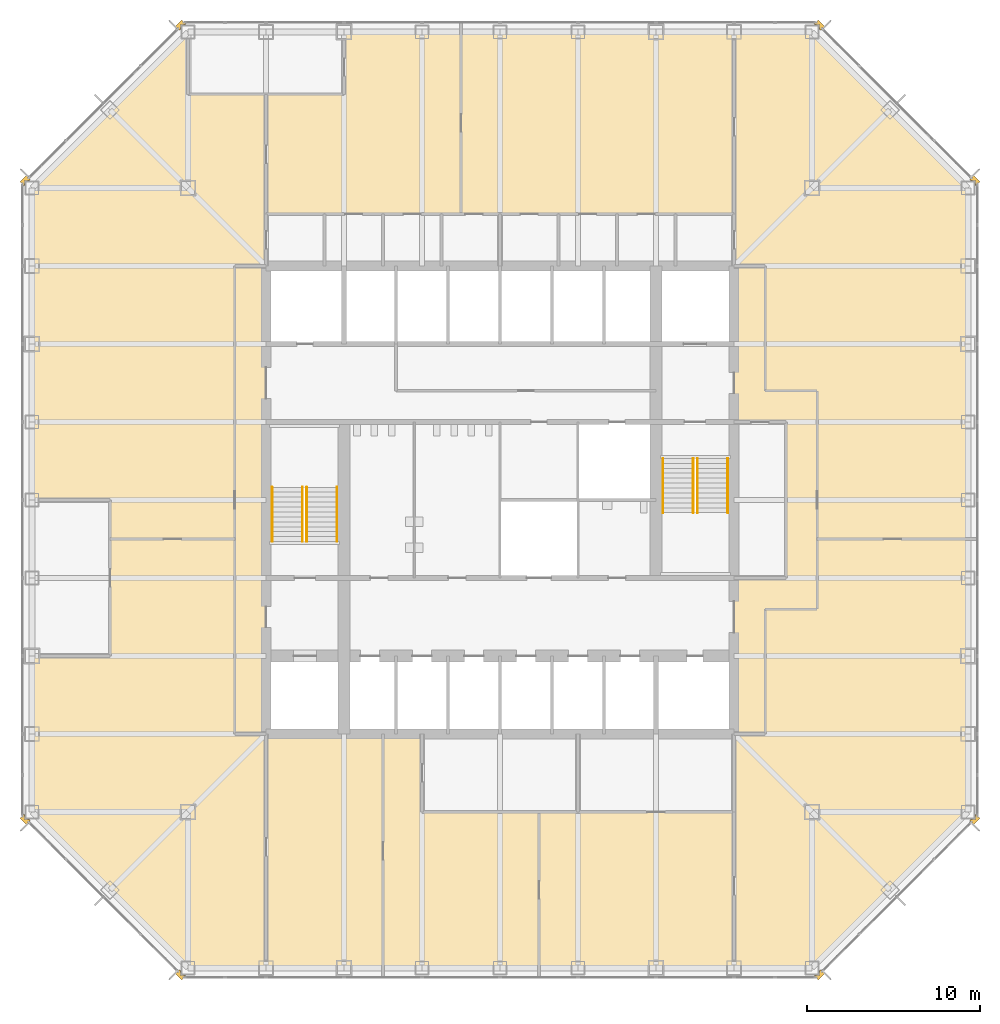
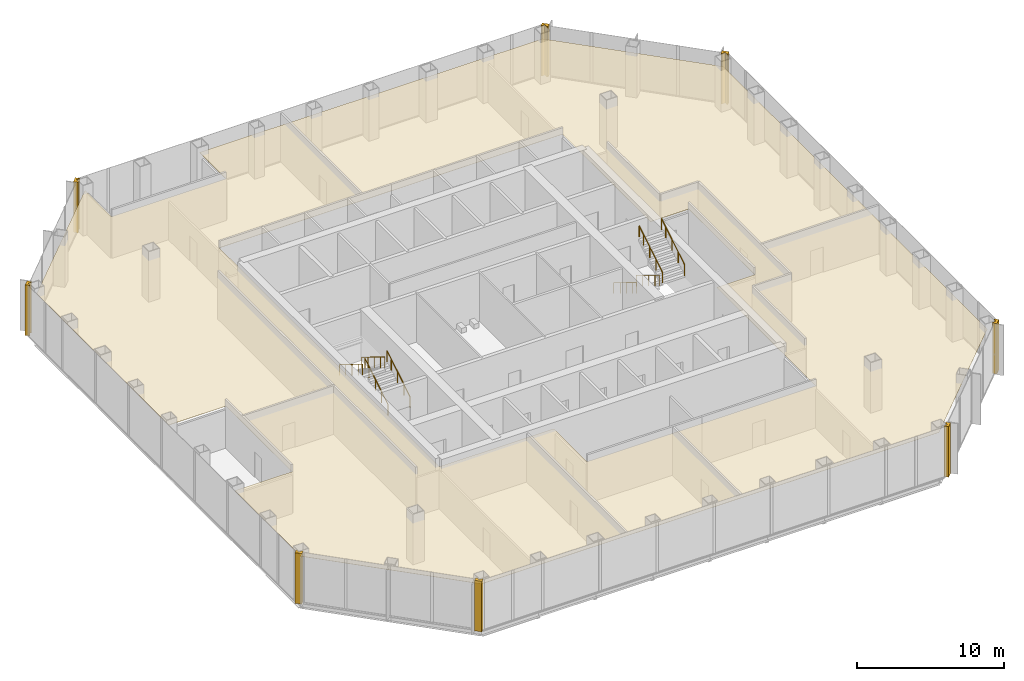
# One storey, part 12 of 13: 9 coverings, 8 railings.
"""IFC4 building model written with IfcOpenShell, lengths in metres."""

from ifc_helpers import new_model, si_unit, direction, frame, origin, origin_2d, place, context, subcontext, project, spatial, polyline, circle, outline, extrude, material, layer, layer_set, type_object, element, save


model = new_model("IFC4")

# Units and contexts
model_context = context("Model", 3, precision=1e-05, world=origin(), true_north=direction((0.0, 1.0)))
body_context = subcontext(model_context, "Body", "Model", "MODEL_VIEW")
ifc_project = project(units=[si_unit("LENGTHUNIT", "METRE"), si_unit("AREAUNIT", "SQUARE_METRE"), si_unit("VOLUMEUNIT", "CUBIC_METRE"), si_unit("PLANEANGLEUNIT", "RADIAN"), si_unit("MASSUNIT", "GRAM", prefix="KILO")], contexts=[model_context])

# Site, building, storey
site_placement = place(None, origin())
site = spatial("IfcSite", under=ifc_project, at=site_placement, CompositionType="ELEMENT")
building_placement = place(site_placement, origin())
building = spatial("IfcBuilding", under=site, at=building_placement, Name="Corais Broadcast Tower", CompositionType="ELEMENT")
storey_placement = place(building_placement, frame((0.0, 0.0, 66.800048828125)))
storey = spatial("IfcBuildingStorey", under=building, at=storey_placement, Name="L14", CompositionType="ELEMENT", Elevation=66.800048828125)

# Railings
ifc_material_1 = material(Name="Stainless steel handrail", Category="steel")
railing_type = type_object("IfcRailingType", Name="Handrail 920", PredefinedType="HANDRAIL", material=ifc_material_1)
for number, where, name in (
    (1, (17.60009765625, 24.60009765625, 0.175048828125), "HR1 L14"),
    (2, (15.85009765625, 24.60009765625, 0.175048828125), "HR1 L14"),
):
    element("IfcRailing", number, at=place(storey_placement, frame(where)), inside=storey, type_object=railing_type, Name=name, PredefinedType="HANDRAIL", context=body_context, shape_type="SweptSolid", body=[
        extrude(circle(Radius=0.02392578125, at=origin_2d()), frame((0.0, 0.0, 0.89599609375), z_axis=(0.0, 0.852195625947, 0.523223293744), x_axis=(-1.0, 0.0, 0.0)), (0.0, 0.0, 1.0), 3.6787109375),
        extrude(circle(Radius=0.02099609375, at=origin_2d()), origin(), (0.0, 0.0, 1.0), 0.871826171875),
        extrude(circle(Radius=0.02099609375, at=origin_2d()), frame((0.0, 0.85498046875, 0.52490234375)), (0.0, 0.0, 1.0), 0.871826171875),
        extrude(circle(Radius=0.02099609375, at=origin_2d()), frame((0.0, 1.7099609375, 1.0498046875)), (0.0, 0.0, 1.0), 0.871826171875),
        extrude(circle(Radius=0.02099609375, at=origin_2d()), frame((0.0, 2.56494140625, 1.574951171875)), (0.0, 0.0, 1.0), 0.871826171875),
        extrude(circle(Radius=0.02099609375, at=origin_2d()), frame((0.0, 3.135009765625, 1.9248046875)), (0.0, 0.0, 1.0), 0.871826171875),
    ])
for number, where, name in (
    (3, (13.85009765625, 27.735107421875, 2.27490234375), "HR1 L14"),
    (4, (15.60009765625, 27.735107421875, 2.27490234375), "HR1 L14"),
):
    element("IfcRailing", number, at=place(storey_placement, frame(where)), inside=storey, type_object=railing_type, Name=name, PredefinedType="HANDRAIL", context=body_context, shape_type="SweptSolid", body=[
        extrude(circle(Radius=0.02392578125, at=origin_2d()), frame((0.0, 0.0, 0.89599609375), z_axis=(0.0, -0.852166034122, 0.523271488128), x_axis=(1.0, 0.0, 0.0)), (0.0, 0.0, 1.0), 3.678955078125),
        extrude(circle(Radius=0.02099609375, at=origin_2d()), origin(), (0.0, 0.0, 1.0), 0.871826171875),
        extrude(circle(Radius=0.02099609375, at=origin_2d()), frame((0.0, -0.85498046875, 0.52490234375)), (0.0, 0.0, 1.0), 0.871826171875),
        extrude(circle(Radius=0.02099609375, at=origin_2d()), frame((0.0, -1.7099609375, 1.050048828125)), (0.0, 0.0, 1.0), 0.871826171875),
        extrude(circle(Radius=0.02099609375, at=origin_2d()), frame((0.0, -2.56494140625, 1.574951171875)), (0.0, 0.0, 1.0), 0.871826171875),
        extrude(circle(Radius=0.02099609375, at=origin_2d()), frame((0.0, -3.135009765625, 1.925048828125)), (0.0, 0.0, 1.0), 0.871826171875),
    ])
for number, where, name in (
    (5, (36.39990234375, 29.39990234375, 0.175048828125), "HR1 L14"),
    (6, (38.14990234375, 29.39990234375, 0.175048828125), "HR1 L14"),
):
    element("IfcRailing", number, at=place(storey_placement, frame(where)), inside=storey, type_object=railing_type, Name=name, PredefinedType="HANDRAIL", context=body_context, shape_type="SweptSolid", body=[
        extrude(circle(Radius=0.02392578125, at=origin_2d()), frame((0.0, 0.0, 0.89599609375), z_axis=(0.0, -0.852195625947, 0.523223293744), x_axis=(1.0, 0.0, 0.0)), (0.0, 0.0, 1.0), 3.6787109375),
        extrude(circle(Radius=0.02099609375, at=origin_2d()), origin(), (0.0, 0.0, 1.0), 0.871826171875),
        extrude(circle(Radius=0.02099609375, at=origin_2d()), frame((0.0, -0.85498046875, 0.52490234375)), (0.0, 0.0, 1.0), 0.871826171875),
        extrude(circle(Radius=0.02099609375, at=origin_2d()), frame((0.0, -1.7099609375, 1.0498046875)), (0.0, 0.0, 1.0), 0.871826171875),
        extrude(circle(Radius=0.02099609375, at=origin_2d()), frame((0.0, -2.56494140625, 1.574951171875)), (0.0, 0.0, 1.0), 0.871826171875),
        extrude(circle(Radius=0.02099609375, at=origin_2d()), frame((0.0, -3.135009765625, 1.9248046875)), (0.0, 0.0, 1.0), 0.871826171875),
    ])
for number, where, name in (
    (7, (40.14990234375, 26.264892578125, 2.27490234375), "HR1 L14"),
    (8, (38.39990234375, 26.264892578125, 2.27490234375), "HR1 L14"),
):
    element("IfcRailing", number, at=place(storey_placement, frame(where)), inside=storey, type_object=railing_type, Name=name, PredefinedType="HANDRAIL", context=body_context, shape_type="SweptSolid", body=[
        extrude(circle(Radius=0.02392578125, at=origin_2d()), frame((0.0, 0.0, 0.89599609375), z_axis=(0.0, 0.852166034122, 0.523271488128), x_axis=(-1.0, 0.0, 0.0)), (0.0, 0.0, 1.0), 3.678955078125),
        extrude(circle(Radius=0.02099609375, at=origin_2d()), origin(), (0.0, 0.0, 1.0), 0.871826171875),
        extrude(circle(Radius=0.02099609375, at=origin_2d()), frame((0.0, 0.85498046875, 0.52490234375)), (0.0, 0.0, 1.0), 0.871826171875),
        extrude(circle(Radius=0.02099609375, at=origin_2d()), frame((0.0, 1.7099609375, 1.050048828125)), (0.0, 0.0, 1.0), 0.871826171875),
        extrude(circle(Radius=0.02099609375, at=origin_2d()), frame((0.0, 2.56494140625, 1.574951171875)), (0.0, 0.0, 1.0), 0.871826171875),
        extrude(circle(Radius=0.02099609375, at=origin_2d()), frame((0.0, 3.135009765625, 1.925048828125)), (0.0, 0.0, 1.0), 0.871826171875),
    ])

# Coverings
ifc_material_2 = material(Name="Granite stone cladding", Category="masonry")
ifc_layer_1 = layer(ifc_material_2, 0.324951171875)
ifc_layer_set_1 = layer_set([ifc_layer_1], Name="Granite stone cladding")
covering_type_1 = type_object("IfcCoveringType", Name="Stone corner pier cladding 500x325", PredefinedType="CLADDING", material=ifc_layer_set_1)
covering_1_placement = place(storey_placement, origin())
element("IfcCovering", 9, at=covering_1_placement, inside=storey, type_object=covering_type_1, Name="SP1 stone corner pier L14", PredefinedType="CLADDING", context=body_context, shape_type="SweptSolid", body=[
    extrude(outline(polyline([(8.860595703125, -0.461669921875), (8.823974609375, -0.425048828125), (8.574951171875, -0.425048828125), (8.574951171875, -0.176025390625), (8.507080078125, -0.108154296875), (8.277099609375, -0.337890625), (8.630859375, -0.69140625), (8.860595703125, -0.461669921875)])), origin(), (0.0, 0.0, 1.0), 4.199951171875),
])
covering_2_placement = place(storey_placement, origin())
element("IfcCovering", 10, at=covering_2_placement, inside=storey, type_object=covering_type_1, Name="SP1 stone corner pier L14", PredefinedType="CLADDING", context=body_context, shape_type="SweptSolid", body=[
    extrude(outline(polyline([(-0.425048828125, 8.823974609375), (-0.461669921875, 8.860595703125), (-0.69140625, 8.630859375), (-0.337890625, 8.277099609375), (-0.108154296875, 8.507080078125), (-0.176025390625, 8.574951171875), (-0.425048828125, 8.574951171875), (-0.425048828125, 8.823974609375)])), origin(), (0.0, 0.0, 1.0), 4.199951171875),
])
covering_3_placement = place(storey_placement, origin())
element("IfcCovering", 11, at=covering_3_placement, inside=storey, type_object=covering_type_1, Name="SP1 stone corner pier L14", PredefinedType="CLADDING", context=body_context, shape_type="SweptSolid", body=[
    extrude(outline(polyline([(-0.461669921875, 45.139404296875), (-0.425048828125, 45.176025390625), (-0.425048828125, 45.425048828125), (-0.176025390625, 45.425048828125), (-0.108154296875, 45.492919921875), (-0.337890625, 45.722900390625), (-0.69140625, 45.369140625), (-0.461669921875, 45.139404296875)])), origin(), (0.0, 0.0, 1.0), 4.199951171875),
])
covering_4_placement = place(storey_placement, origin())
element("IfcCovering", 12, at=covering_4_placement, inside=storey, type_object=covering_type_1, Name="SP1 stone corner pier L14", PredefinedType="CLADDING", context=body_context, shape_type="SweptSolid", body=[
    extrude(outline(polyline([(8.823974609375, 54.425048828125), (8.860595703125, 54.461669921875), (8.630859375, 54.69140625), (8.277099609375, 54.337890625), (8.507080078125, 54.108154296875), (8.574951171875, 54.176025390625), (8.574951171875, 54.425048828125), (8.823974609375, 54.425048828125)])), origin(), (0.0, 0.0, 1.0), 4.199951171875),
])
covering_5_placement = place(storey_placement, origin())
element("IfcCovering", 13, at=covering_5_placement, inside=storey, type_object=covering_type_1, Name="SP1 stone corner pier L14", PredefinedType="CLADDING", context=body_context, shape_type="SweptSolid", body=[
    extrude(outline(polyline([(45.139404296875, 54.461669921875), (45.176025390625, 54.425048828125), (45.425048828125, 54.425048828125), (45.425048828125, 54.176025390625), (45.492919921875, 54.108154296875), (45.722900390625, 54.337890625), (45.369140625, 54.69140625), (45.139404296875, 54.461669921875)])), origin(), (0.0, 0.0, 1.0), 4.199951171875),
])
covering_6_placement = place(storey_placement, origin())
element("IfcCovering", 14, at=covering_6_placement, inside=storey, type_object=covering_type_1, Name="SP1 stone corner pier L14", PredefinedType="CLADDING", context=body_context, shape_type="SweptSolid", body=[
    extrude(outline(polyline([(54.425048828125, 45.176025390625), (54.461669921875, 45.139404296875), (54.69140625, 45.369140625), (54.337890625, 45.722900390625), (54.108154296875, 45.492919921875), (54.176025390625, 45.425048828125), (54.425048828125, 45.425048828125), (54.425048828125, 45.176025390625)])), origin(), (0.0, 0.0, 1.0), 4.199951171875),
])
covering_7_placement = place(storey_placement, origin())
element("IfcCovering", 15, at=covering_7_placement, inside=storey, type_object=covering_type_1, Name="SP1 stone corner pier L14", PredefinedType="CLADDING", context=body_context, shape_type="SweptSolid", body=[
    extrude(outline(polyline([(54.461669921875, 8.860595703125), (54.425048828125, 8.823974609375), (54.425048828125, 8.574951171875), (54.176025390625, 8.574951171875), (54.108154296875, 8.507080078125), (54.337890625, 8.277099609375), (54.69140625, 8.630859375), (54.461669921875, 8.860595703125)])), origin(), (0.0, 0.0, 1.0), 4.199951171875),
])
covering_8_placement = place(storey_placement, origin())
element("IfcCovering", 16, at=covering_8_placement, inside=storey, type_object=covering_type_1, Name="SP1 stone corner pier L14", PredefinedType="CLADDING", context=body_context, shape_type="SweptSolid", body=[
    extrude(outline(polyline([(45.176025390625, -0.425048828125), (45.139404296875, -0.461669921875), (45.369140625, -0.69140625), (45.722900390625, -0.337890625), (45.492919921875, -0.108154296875), (45.425048828125, -0.176025390625), (45.425048828125, -0.425048828125), (45.176025390625, -0.425048828125)])), origin(), (0.0, 0.0, 1.0), 4.199951171875),
])
ifc_material_3 = material(Name="Mineral fibre ceiling tile", Category="mineral")
ifc_layer_2 = layer(ifc_material_3, 0.02001953125)
ifc_layer_set_2 = layer_set([ifc_layer_2], Name="Mineral fibre ceiling tile")
covering_type_2 = type_object("IfcCoveringType", Name="Suspended ceiling", PredefinedType="CEILING", material=ifc_layer_set_2)
covering_9_placement = place(storey_placement, frame((0.0, 0.0, 3.419921875)))
element("IfcCovering", 17, at=covering_9_placement, inside=storey, type_object=covering_type_2, Name="CE1 ceiling L14", PredefinedType="CEILING", context=body_context, shape_type="SweptSolid", body=[
    extrude(outline(polyline([(9.0, 0.0), (0.0, 9.0), (0.0, 18.0), (4.5, 18.0), (4.5, 27.0), (0.0, 27.0), (0.0, 45.0), (9.0, 54.0), (9.0, 50.39990234375), (18.0, 50.39990234375), (18.0, 54.0), (45.0, 54.0), (54.0, 45.0), (54.0, 9.0), (45.0, 0.0), (9.0, 0.0)]), holes=[polyline([(22.5, 13.5), (22.5, 9.0), (40.5, 9.0), (40.5, 22.5), (43.5, 22.5), (43.5, 31.5), (40.5, 31.5), (40.5, 43.5), (13.5, 43.5), (13.5, 13.5), (22.5, 13.5)])]), origin(), (0.0, 0.0, 1.0), 0.02001953125),
])

save(model, "model.ifc")
